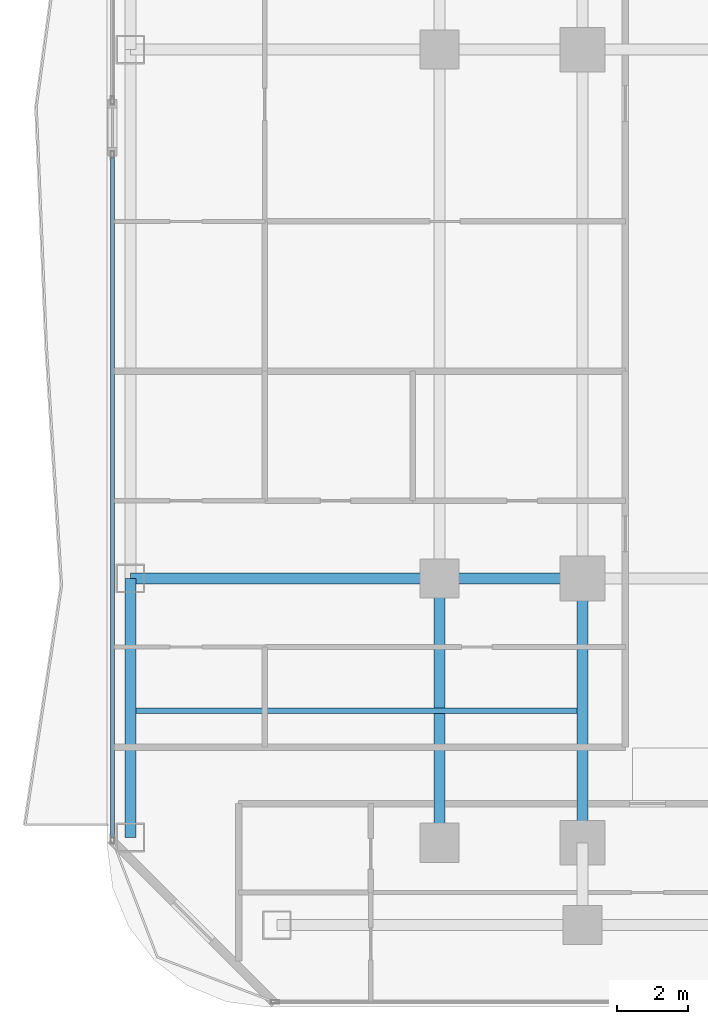
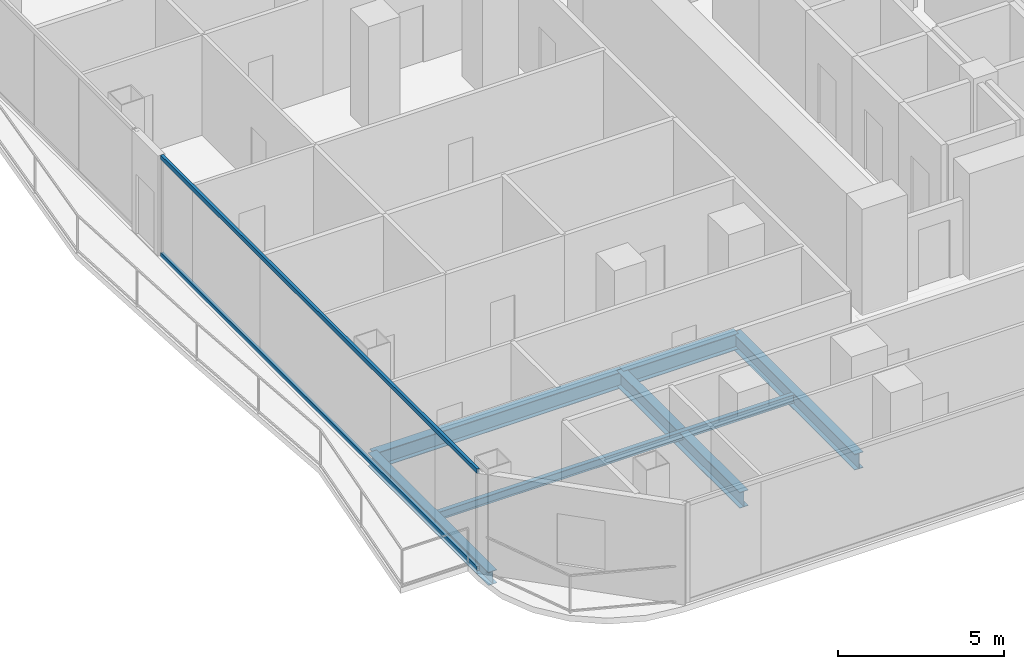
# One storey, part 3 of 28: 6 beams, 2 members, 1 element without a shape of its own.
"""IFC4 building model written with IfcOpenShell, lengths in metres."""

import ifcopenshell
import ifcopenshell.guid

model = None  # the IFC model being written
_history = None  # IfcOwnerHistory: only IFC2X3 demands one
_inside = {}  # id of a spatial element -> (the spatial element, [elements in it])
_under = {}  # id of a project, library or spatial element -> (it, [spatial elements below it])
_declared = {}  # id of a project -> (the project, [libraries it declares])
_typed = {}  # id of a type object -> (the type object, [elements of that type])
_made_of = {}  # id of a material, layer set ... -> (it, [elements and type objects made of it])


def new_model(schema):
    """Start an empty IFC model of exactly this schema.

    Asked for "IFC4X3", IfcOpenShell would pick the latest addendum, in which some entities
    have other attributes; the version numbers below select the first issue.
    IFC2X3 requires an IfcOwnerHistory on every rooted entity: one is made here for all.
    """
    global model, _history
    if schema == "IFC4X3":
        model = ifcopenshell.file(schema_version=(4, 3, 0, 0))
    else:
        model = ifcopenshell.file(schema=schema)
    _inside.clear()
    _under.clear()
    _declared.clear()
    _typed.clear()
    _made_of.clear()
    _history = None
    if model.schema == "IFC2X3":
        org = make("IfcOrganization", Name="unknown")
        user = make(
            "IfcPersonAndOrganization",
            ThePerson=make("IfcPerson", FamilyName="unknown"),
            TheOrganization=org,
        )
        app = make(
            "IfcApplication",
            ApplicationDeveloper=org,
            Version="unknown",
            ApplicationFullName="unknown",
            ApplicationIdentifier="unknown",
        )
        _history = make(
            "IfcOwnerHistory",
            OwningUser=user,
            OwningApplication=app,
            ChangeAction="ADDED",
            CreationDate=0,
        )
    return model


def make(cls, **values):
    """One entity of the class cls with the attributes given. An attribute that is None is left unset."""
    return model.create_entity(
        cls, **{name: value for name, value in values.items() if value is not None}
    )


def rooted(cls, **values):
    """An entity with a GlobalId (a new one), such as an element, a storey or a relation."""
    return make(cls, GlobalId=ifcopenshell.guid.new(), OwnerHistory=_history, **values)


def si_unit(unit_type, name, prefix=None):
    """IfcSIUnit, for example si_unit("LENGTHUNIT", "METRE", prefix="MILLI")."""
    return make("IfcSIUnit", UnitType=unit_type, Prefix=prefix, Name=name)


def assignment(units):
    """IfcUnitAssignment: the units of a project."""
    return None if units is None else make("IfcUnitAssignment", Units=units)


def point(xyz):
    """IfcCartesianPoint."""
    return None if xyz is None else make("IfcCartesianPoint", Coordinates=xyz)


def direction(xyz):
    """IfcDirection."""
    return None if xyz is None else make("IfcDirection", DirectionRatios=xyz)


def frame(location, z_axis=None, x_axis=None):
    """IfcAxis2Placement3D, a coordinate frame: its origin and axes. An axis left out is left unset."""
    return make(
        "IfcAxis2Placement3D",
        Location=point(location),
        Axis=direction(z_axis),
        RefDirection=direction(x_axis),
    )


def frame_2d(location, x_axis=None):
    """IfcAxis2Placement2D, a coordinate frame in the plane: its origin and x axis."""
    return make(
        "IfcAxis2Placement2D", Location=point(location), RefDirection=direction(x_axis)
    )


def origin():
    """The frame at (0, 0, 0) with its axes left unset."""
    return frame((0.0, 0.0, 0.0))


def origin_2d():
    """The frame at (0, 0) in the plane with its x axis left unset."""
    return frame_2d((0.0, 0.0))


def place(relative_to, where):
    """IfcLocalPlacement: puts the frame where relative to a parent placement (None: the world)."""
    return make(
        "IfcLocalPlacement", PlacementRelTo=relative_to, RelativePlacement=where
    )


def context(
    kind, dimensions, precision=None, world=None, true_north=None, identifier=None
):
    """IfcGeometricRepresentationContext, for example the 3D "Model" context."""
    return make(
        "IfcGeometricRepresentationContext",
        ContextIdentifier=identifier,
        ContextType=kind,
        CoordinateSpaceDimension=dimensions,
        Precision=precision,
        WorldCoordinateSystem=world,
        TrueNorth=true_north,
    )


def subcontext(parent, identifier, kind, view, scale=None):
    """IfcGeometricRepresentationSubContext, for example "Body" below "Model"."""
    return make(
        "IfcGeometricRepresentationSubContext",
        ContextIdentifier=identifier,
        ContextType=kind,
        ParentContext=parent,
        TargetScale=scale,
        TargetView=view,
    )


def project(units=None, contexts=None):
    """IfcProject with its units and contexts."""
    return rooted(
        "IfcProject",
        Name="project",
        RepresentationContexts=contexts,
        UnitsInContext=assignment(units),
    )


def spatial(cls, under=None, at=None, **own):
    """A site, building, storey or space (cls), placed at a placement, below another one or the project."""
    s = rooted(cls, ObjectPlacement=at, **own)
    if under is not None:
        _under.setdefault(under.id(), (under, []))[1].append(s)
    return s


def profile(cls, at=None, kind="AREA", **sizes):
    """A parametric profile (cls). Its sizes go by their IFC names, for example OverallWidth=200.0."""
    return make(cls, ProfileType=kind, Position=at, **sizes)


def hollow_rectangle(**sizes):
    """IfcRectangleHollowProfileDef."""
    return profile("IfcRectangleHollowProfileDef", **sizes)


def i_section(**sizes):
    """IfcIShapeProfileDef."""
    return profile("IfcIShapeProfileDef", **sizes)


def extrude(swept, where, along, depth):
    """IfcExtrudedAreaSolid: the profile swept, set in the frame where, extruded along a direction by depth."""
    return make(
        "IfcExtrudedAreaSolid",
        SweptArea=swept,
        Position=where,
        ExtrudedDirection=direction(along),
        Depth=depth,
    )


def shape(context_of_items, identifier, shape_type, items):
    """IfcShapeRepresentation: the items that make up one representation, for example the "Body"."""
    return make(
        "IfcShapeRepresentation",
        ContextOfItems=context_of_items,
        RepresentationIdentifier=identifier,
        RepresentationType=shape_type,
        Items=items,
    )


def material(Name=None, Category=None):
    """IfcMaterial."""
    return make("IfcMaterial", Name=Name, Category=Category)


def layer(
    of_material, thickness, ventilated=None, Name=None, Category=None, Priority=None
):
    """IfcMaterialLayer: one layer of a wall or slab, of a material (None: an air gap)."""
    return make(
        "IfcMaterialLayer",
        Material=of_material,
        LayerThickness=thickness,
        IsVentilated=ventilated,
        Name=Name,
        Category=Category,
        Priority=Priority,
    )


def layer_set(layers, Name=None):
    """IfcMaterialLayerSet."""
    return make("IfcMaterialLayerSet", MaterialLayers=layers, LayerSetName=Name)


def material_profile(
    of_material, cross_section, Name=None, Category=None, Priority=None
):
    """IfcMaterialProfile: a cross section and its material."""
    return make(
        "IfcMaterialProfile",
        Name=Name,
        Material=of_material,
        Profile=cross_section,
        Priority=Priority,
        Category=Category,
    )


def profile_set(profiles, Name=None, composite=None):
    """IfcMaterialProfileSet."""
    return make(
        "IfcMaterialProfileSet",
        Name=Name,
        MaterialProfiles=profiles,
        CompositeProfile=composite,
    )


def made_of(thing, what):
    """Note that an element or type object is made of a material, layer set ...; save() writes the relation."""
    if what is not None:
        _made_of.setdefault(what.id(), (what, []))[1].append(thing)
    return thing


def type_object(cls, material=None, **own):
    """A type object (cls), such as IfcWallType, which elements share."""
    return made_of(rooted(cls, **own), material)


def element(
    cls,
    number,
    at=None,
    inside=None,
    cuts=None,
    type_object=None,
    material=None,
    context=None,
    identifier="Body",
    shape_type=None,
    held_by="IfcProductDefinitionShape",
    body=None,
    shapes=None,
    **own,
):
    """One element of the class cls, such as IfcWall. Its Tag is "e" and its number.

    at: its placement. inside: the storey or other place that contains it. cuts: it is an
    opening in that element (IfcRelVoidsElement). A single representation is given by context,
    identifier, shape_type and body (its items); several are given by shapes. held_by: the class
    of the entity that holds the representations. save() writes the other relations.
    """
    e = rooted(cls, Tag="e%d" % number, ObjectPlacement=at, **own)
    if body is not None:
        shapes = [shape(context, identifier, shape_type, body)]
    if shapes is not None:
        e.Representation = make(held_by, Representations=shapes)
    if inside is not None:
        _inside.setdefault(inside.id(), (inside, []))[1].append(e)
    if cuts is not None:
        rooted(
            "IfcRelVoidsElement", RelatingBuildingElement=cuts, RelatedOpeningElement=e
        )
    if type_object is not None:
        _typed.setdefault(type_object.id(), (type_object, []))[1].append(e)
    return made_of(e, material)


def aggregate(whole, parts):
    """IfcRelAggregates: a whole, such as a stair, and the parts it consists of."""
    return rooted("IfcRelAggregates", RelatingObject=whole, RelatedObjects=parts)


def save(model, path):
    """Write the relations noted so far, then the file.

    IfcRelAggregates (storeys below a building ...), IfcRelContainedInSpatialStructure (elements
    in a storey), IfcRelDefinesByType, IfcRelAssociatesMaterial and IfcRelDeclares: one each for
    every whole, place, type object, material and project.
    """
    for whole, parts in _under.values():
        aggregate(whole, parts)
    for where, things in _inside.values():
        rooted(
            "IfcRelContainedInSpatialStructure",
            RelatedElements=things,
            RelatingStructure=where,
        )
    for kind, things in _typed.values():
        rooted("IfcRelDefinesByType", RelatedObjects=things, RelatingType=kind)
    for what, things in _made_of.values():
        rooted("IfcRelAssociatesMaterial", RelatedObjects=things, RelatingMaterial=what)
    for by, libraries in _declared.values():
        rooted("IfcRelDeclares", RelatingContext=by, RelatedDefinitions=libraries)
    model.write(path)


model = new_model("IFC4")

# Units and contexts
model_context = context("Model", 3, precision=1e-05, world=origin(), true_north=direction((0.0, 1.0)))
body_context = subcontext(model_context, "Body", "Model", "MODEL_VIEW")
ifc_project = project(units=[si_unit("LENGTHUNIT", "METRE"), si_unit("AREAUNIT", "SQUARE_METRE"), si_unit("VOLUMEUNIT", "CUBIC_METRE"), si_unit("PLANEANGLEUNIT", "RADIAN"), si_unit("MASSUNIT", "GRAM", prefix="KILO")], contexts=[model_context])

# Site, building, storey
site_placement = place(None, origin())
site = spatial("IfcSite", under=ifc_project, at=site_placement, CompositionType="ELEMENT")
building_placement = place(site_placement, origin())
building = spatial("IfcBuilding", under=site, at=building_placement, Name="Khorvyn Point Tower", CompositionType="ELEMENT")
storey_placement = place(building_placement, frame((0.0, 0.0, 100.800048828125)))
storey = spatial("IfcBuildingStorey", under=building, at=storey_placement, Name="L25", CompositionType="ELEMENT", Elevation=100.800048828125)

# Curtain wall, members
ifc_material_1 = material(Name="Anodised aluminium 6063-T6 and laminated Low-E glass", Category="aluminium")
ifc_layer = layer(ifc_material_1, 0.18994140625)
ifc_layer_set = layer_set([ifc_layer], Name="Stick-Built Finned Residential Curtain Wall CW-SYS-02")
curtain_wall_type = type_object("IfcCurtainWallType", Name="Stick-Built Finned Residential Curtain Wall CW-SYS-02", PredefinedType="NOTDEFINED", material=ifc_layer_set)
curtain_wall_placement = place(storey_placement, origin())
curtain_wall = element("IfcCurtainWall", 1, at=curtain_wall_placement, inside=storey, type_object=curtain_wall_type, Name="Curtain Wall", PredefinedType="NOTDEFINED")
ifc_material_2 = material(Name="Anodised aluminium 6063-T6", Category="aluminium")
ifc_material_profile_1 = material_profile(ifc_material_2, hollow_rectangle(XDim=0.10009765625, YDim=0.159912109375, WallThickness=0.00439453125, at=origin_2d()))
ifc_profile_set_1 = profile_set([ifc_material_profile_1], Name="Anodised aluminium 6063-T6 ALU-TRN-100x160")
member_type = type_object("IfcMemberType", Name="Anodised Aluminium 6063-T6 Transom ALU-TRN-100x160", PredefinedType="USERDEFINED", material=ifc_profile_set_1)
member_1_placement = place(storey_placement, frame((-27.949951171875, -14.64990234375, 0.050048828125), z_axis=(0.0, 1.0, 0.0), x_axis=(-1.0, 0.0, 0.0)))
member_1 = element("IfcMember", 2, at=member_1_placement, type_object=member_type, Name="Transom", ObjectType="TRANSOM", PredefinedType="USERDEFINED", context=body_context, shape_type="SweptSolid", body=[
    extrude(hollow_rectangle(XDim=0.10009765625, YDim=0.159912109375, WallThickness=0.00439453125, at=origin_2d()), origin(), (0.0, 0.0, 1.0), 19.039794921875),
])
member_2_placement = place(storey_placement, frame((-27.949951171875, -14.64990234375, 3.6298828125), z_axis=(0.0, 1.0, 0.0), x_axis=(-1.0, 0.0, 0.0)))
member_2 = element("IfcMember", 3, at=member_2_placement, type_object=member_type, Name="Transom", ObjectType="TRANSOM", PredefinedType="USERDEFINED", context=body_context, shape_type="SweptSolid", body=[
    extrude(hollow_rectangle(XDim=0.10009765625, YDim=0.159912109375, WallThickness=0.00439453125, at=origin_2d()), origin(), (0.0, 0.0, 1.0), 19.039794921875),
])
aggregate(curtain_wall, [member_1, member_2])

# Beams
ifc_material_3 = material(Name="Steel S355", Category="steel")
ifc_material_profile_2 = material_profile(ifc_material_3, i_section(OverallWidth=0.300048828125, OverallDepth=0.587890625, WebThickness=0.011962890625, FlangeThickness=0.02001953125, at=origin_2d()))
ifc_profile_set_2 = profile_set([ifc_material_profile_2], Name="Steel S355 H588x300x12x20")
beam_type_1 = type_object("IfcBeamType", Name="Steel S355 Beam H588x300x12x20", PredefinedType="BEAM", material=ifc_profile_set_2)
beam_1_placement = place(storey_placement, frame((-27.449951171875, -7.39990234375, -0.51416015625), z_axis=(1.0, 0.0, 0.0), x_axis=(0.0, 1.0, 0.0)))
element("IfcBeam", 4, at=beam_1_placement, inside=storey, type_object=beam_type_1, Name="Beam", PredefinedType="BEAM", context=body_context, shape_type="SweptSolid", body=[
    extrude(i_section(OverallWidth=0.300048828125, OverallDepth=0.587890625, WebThickness=0.011962890625, FlangeThickness=0.02001953125, at=origin_2d()), origin(), (0.0, 0.0, 1.0), 8.64990234375),
])
beam_2_placement = place(storey_placement, frame((-18.800048828125, -7.39990234375, -0.51416015625), z_axis=(1.0, 0.0, 0.0), x_axis=(0.0, 1.0, 0.0)))
element("IfcBeam", 5, at=beam_2_placement, inside=storey, type_object=beam_type_1, Name="Beam", PredefinedType="BEAM", context=body_context, shape_type="SweptSolid", body=[
    extrude(i_section(OverallWidth=0.300048828125, OverallDepth=0.587890625, WebThickness=0.011962890625, FlangeThickness=0.02001953125, at=origin_2d()), origin(), (0.0, 0.0, 1.0), 4.0),
])
for number, where, z_axis, x_axis, name in (
    (6, (-14.800048828125, -14.800048828125, -0.51416015625), (0.0, 1.0, 0.0), (-1.0, 0.0, 0.0), "Beam"),
    (7, (-18.800048828125, -14.800048828125, -0.51416015625), (0.0, 1.0, 0.0), (-1.0, 0.0, 0.0), "Beam"),
):
    element("IfcBeam", number, at=place(storey_placement, frame(where, z_axis=z_axis, x_axis=x_axis)), inside=storey, type_object=beam_type_1, Name=name, PredefinedType="BEAM", context=body_context, shape_type="SweptSolid", body=[
        extrude(i_section(OverallWidth=0.300048828125, OverallDepth=0.587890625, WebThickness=0.011962890625, FlangeThickness=0.02001953125, at=origin_2d()), origin(), (0.0, 0.0, 1.0), 7.400146484375),
    ])
ifc_material_profile_3 = material_profile(ifc_material_3, i_section(OverallWidth=0.14990234375, OverallDepth=0.300048828125, WebThickness=0.006591796875, FlangeThickness=0.009033203125, at=origin_2d()))
ifc_profile_set_3 = profile_set([ifc_material_profile_3], Name="Steel S355 H300x150x6.5x9")
beam_type_2 = type_object("IfcBeamType", Name="Steel S355 Joist H300x150x6.5x9", PredefinedType="JOIST", material=ifc_profile_set_3)
beam_3_placement = place(storey_placement, frame((-27.300048828125, -11.10009765625, -0.3701171875), z_axis=(1.0, 0.0, 0.0), x_axis=(0.0, 1.0, 0.0)))
element("IfcBeam", 8, at=beam_3_placement, inside=storey, type_object=beam_type_2, Name="Beam", PredefinedType="JOIST", context=body_context, shape_type="SweptSolid", body=[
    extrude(i_section(OverallWidth=0.14990234375, OverallDepth=0.300048828125, WebThickness=0.006591796875, FlangeThickness=0.009033203125, at=origin_2d()), origin(), (0.0, 0.0, 1.0), 12.35009765625),
])
ifc_material_profile_4 = material_profile(ifc_material_3, i_section(OverallWidth=0.300048828125, OverallDepth=0.488037109375, WebThickness=0.010986328125, FlangeThickness=0.01806640625, at=origin_2d()))
ifc_profile_set_4 = profile_set([ifc_material_profile_4], Name="Steel S355 H488x300x11x18")
beam_type_3 = type_object("IfcBeamType", Name="Steel S355 Spandrel H488x300x11x18", PredefinedType="SPANDREL", material=ifc_profile_set_4)
beam_4_placement = place(storey_placement, frame((-27.449951171875, -14.64990234375, -0.464111328125), z_axis=(0.0, 1.0, 0.0), x_axis=(-1.0, 0.0, 0.0)))
element("IfcBeam", 9, at=beam_4_placement, inside=storey, type_object=beam_type_3, Name="Beam", PredefinedType="SPANDREL", context=body_context, shape_type="SweptSolid", body=[
    extrude(i_section(OverallWidth=0.300048828125, OverallDepth=0.488037109375, WebThickness=0.010986328125, FlangeThickness=0.01806640625, at=origin_2d()), origin(), (0.0, 0.0, 1.0), 7.25),
])

save(model, "model.ifc")
